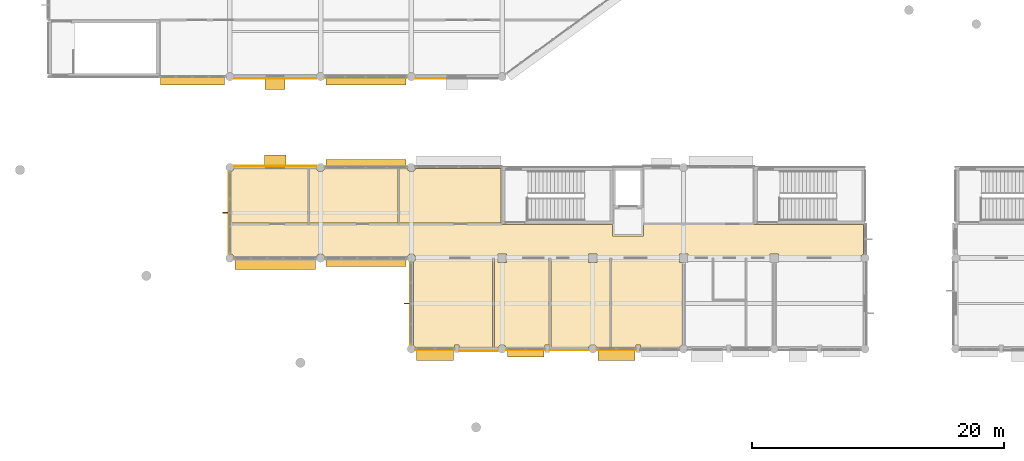
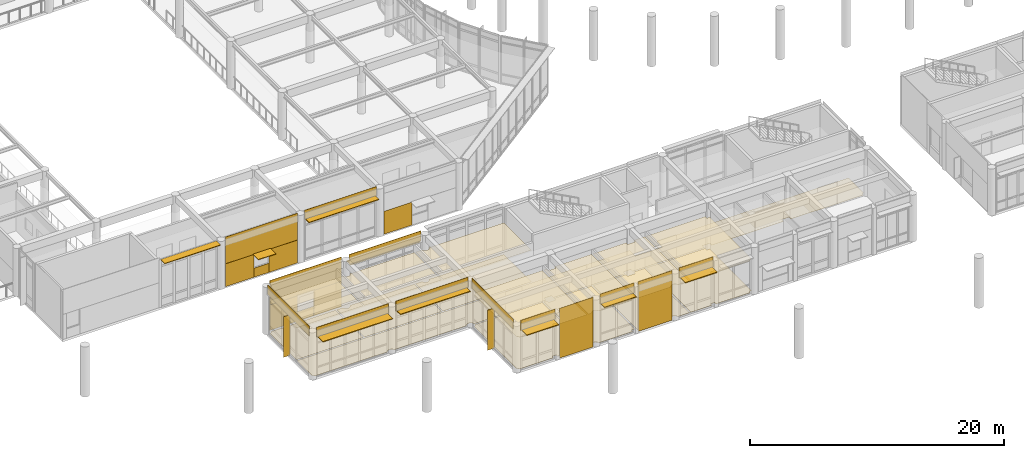
# One storey, part 64 of 92: 35 coverings, 12 shading devices.
"""IFC4 building model written with IfcOpenShell, lengths in metres."""

from ifc_helpers import new_model, si_unit, direction, frame, origin, origin_2d, place, context, subcontext, project, spatial, polyline, rectangle, outline, extrude, material, layer, layer_set, type_object, element, save


model = new_model("IFC4")

# Units and contexts
model_context = context("Model", 3, precision=1e-05, world=origin(), true_north=direction((0.0, 1.0)))
body_context = subcontext(model_context, "Body", "Model", "MODEL_VIEW")
ifc_project = project(units=[si_unit("LENGTHUNIT", "METRE"), si_unit("AREAUNIT", "SQUARE_METRE"), si_unit("VOLUMEUNIT", "CUBIC_METRE"), si_unit("PLANEANGLEUNIT", "RADIAN"), si_unit("MASSUNIT", "GRAM", prefix="KILO")], contexts=[model_context])

# Site, building, storey
site_placement = place(None, origin())
site = spatial("IfcSite", under=ifc_project, at=site_placement, CompositionType="ELEMENT")
building_placement = place(site_placement, origin())
building = spatial("IfcBuilding", under=site, at=building_placement, Name="Namkhue Oval Health Centre", CompositionType="ELEMENT")
storey_placement = place(building_placement, frame((0.0, 0.0, 4.800048828125)))
storey = spatial("IfcBuildingStorey", under=building, at=storey_placement, Name="L01", CompositionType="ELEMENT", Elevation=4.800048828125)

# Coverings
ifc_material_1 = material(Name="Acoustic mineral-fibre cleanroom ceiling", Category="gypsum")
ifc_layer_1 = layer(ifc_material_1, 0.02001953125)
ifc_layer_set_1 = layer_set([ifc_layer_1], Name="Acoustic mineral-fibre cleanroom ceiling")
covering_type_1 = type_object("IfcCoveringType", Name="ACOUSTIC CLEANROOM CEILING 20", PredefinedType="CEILING", material=ifc_layer_set_1)
covering_1_placement = place(storey_placement, frame((0.0, 0.0, 3.050048828125)))
element("IfcCovering", 1, at=covering_1_placement, inside=storey, type_object=covering_type_1, Name="Acoustic Ceiling L01-401 Diagnostic Imaging CT Scanner", PredefinedType="CEILING", context=body_context, shape_type="SweptSolid", body=[
    extrude(outline(polyline([(54.18505859375, 14.485107421875), (54.18505859375, 14.7099609375), (53.81494140625, 14.7099609375), (53.81494140625, 14.485107421875), (50.723876953125, 14.485107421875), (50.690185546875, 14.5673828125), (50.636962890625, 14.636962890625), (50.5673828125, 14.690185546875), (50.554931640625, 14.6953125), (50.554931640625, 21.3046875), (50.5673828125, 21.309814453125), (50.636962890625, 21.363037109375), (50.690185546875, 21.4326171875), (50.724609375, 21.52001953125), (56.85009765625, 21.52001953125), (56.85009765625, 14.485107421875), (54.18505859375, 14.485107421875)])), origin(), (0.0, 0.0, 1.0), 0.02001953125),
])
covering_2_placement = place(storey_placement, frame((0.0, 0.0, 3.050048828125)))
element("IfcCovering", 2, at=covering_2_placement, inside=storey, type_object=covering_type_1, Name="Acoustic Ceiling L01-402 Imaging Control Room", PredefinedType="CEILING", context=body_context, shape_type="SweptSolid", body=[
    extrude(outline(polyline([(57.923828125, 14.485107421875), (57.89013671875, 14.5673828125), (57.8369140625, 14.636962890625), (57.767578125, 14.690185546875), (57.686767578125, 14.7236328125), (57.60009765625, 14.735107421875), (57.51318359375, 14.7236328125), (57.4326171875, 14.690185546875), (57.363037109375, 14.636962890625), (57.309814453125, 14.5673828125), (57.276123046875, 14.485107421875), (56.989990234375, 14.485107421875), (56.989990234375, 21.52001953125), (57.264892578125, 21.52001953125), (57.264892578125, 21.264892578125), (57.93505859375, 21.264892578125), (57.93505859375, 21.52001953125), (61.323974609375, 21.52001953125), (61.323974609375, 14.7099609375), (61.014892578125, 14.7099609375), (61.014892578125, 14.485107421875), (57.923828125, 14.485107421875)])), origin(), (0.0, 0.0, 1.0), 0.02001953125),
])
covering_3_placement = place(storey_placement, frame((0.0, 0.0, 3.050048828125)))
element("IfcCovering", 3, at=covering_3_placement, inside=storey, type_object=covering_type_1, Name="Acoustic Ceiling L01-403 Mammography Screening Room", PredefinedType="CEILING", context=body_context, shape_type="SweptSolid", body=[
    extrude(outline(polyline([(65.123779296875, 14.485107421875), (65.090087890625, 14.5673828125), (65.036865234375, 14.636962890625), (64.967529296875, 14.690185546875), (64.88671875, 14.7236328125), (64.800048828125, 14.735107421875), (64.71337890625, 14.7236328125), (64.632568359375, 14.690185546875), (64.56298828125, 14.636962890625), (64.510009765625, 14.5673828125), (64.476318359375, 14.485107421875), (61.464111328125, 14.485107421875), (61.464111328125, 21.52001953125), (64.465087890625, 21.52001953125), (64.465087890625, 21.264892578125), (65.135009765625, 21.264892578125), (65.135009765625, 21.52001953125), (66.1630859375, 21.52001953125), (66.1630859375, 14.485107421875), (65.123779296875, 14.485107421875)])), origin(), (0.0, 0.0, 1.0), 0.02001953125),
])
covering_4_placement = place(storey_placement, frame((0.0, 0.0, 3.050048828125)))
element("IfcCovering", 4, at=covering_4_placement, inside=storey, type_object=covering_type_1, Name="Acoustic Ceiling L01-404 Ultrasound Diagnostic Room", PredefinedType="CEILING", context=body_context, shape_type="SweptSolid", body=[
    extrude(outline(polyline([(68.5849609375, 14.485107421875), (68.5849609375, 14.7099609375), (68.215087890625, 14.7099609375), (68.215087890625, 14.485107421875), (66.302978515625, 14.485107421875), (66.302978515625, 21.52001953125), (71.6650390625, 21.52001953125), (71.6650390625, 21.264892578125), (71.929931640625, 21.264892578125), (71.929931640625, 14.725830078125), (71.913330078125, 14.7236328125), (71.83251953125, 14.690185546875), (71.76318359375, 14.636962890625), (71.7099609375, 14.5673828125), (71.67626953125, 14.485107421875), (68.5849609375, 14.485107421875)])), origin(), (0.0, 0.0, 1.0), 0.02001953125),
])
covering_5_placement = place(storey_placement, frame((0.0, 0.0, 3.050048828125)))
element("IfcCovering", 5, at=covering_5_placement, inside=storey, type_object=covering_type_1, Name="Acoustic Ceiling L01-409 Bone Densitometry DEXA Room", PredefinedType="CEILING", context=body_context, shape_type="SweptSolid", body=[
    extrude(outline(polyline([(36.14501953125, 24.3798828125), (36.14501953125, 28.50048828125), (36.16748046875, 28.510009765625), (36.23681640625, 28.56298828125), (36.2900390625, 28.632568359375), (36.32373046875, 28.715087890625), (42.212890625, 28.715087890625), (42.212890625, 24.3798828125), (36.14501953125, 24.3798828125)])), origin(), (0.0, 0.0, 1.0), 0.02001953125),
])
covering_6_placement = place(storey_placement, frame((0.0, 0.0, 3.050048828125)))
element("IfcCovering", 6, at=covering_6_placement, inside=storey, type_object=covering_type_1, Name="Acoustic Ceiling L01-410 Radiology Reporting Suite", PredefinedType="CEILING", context=body_context, shape_type="SweptSolid", body=[
    extrude(outline(polyline([(42.3330078125, 24.3798828125), (42.3330078125, 28.715087890625), (42.876220703125, 28.715087890625), (42.909912109375, 28.632568359375), (42.963134765625, 28.56298828125), (43.032470703125, 28.510009765625), (43.11328125, 28.476318359375), (43.199951171875, 28.465087890625), (43.28662109375, 28.476318359375), (43.367431640625, 28.510009765625), (43.43701171875, 28.56298828125), (43.489990234375, 28.632568359375), (43.523681640625, 28.715087890625), (49.360107421875, 28.715087890625), (49.360107421875, 24.3798828125), (42.3330078125, 24.3798828125)])), origin(), (0.0, 0.0, 1.0), 0.02001953125),
])
covering_7_placement = place(storey_placement, frame((0.0, 0.0, 3.050048828125)))
element("IfcCovering", 7, at=covering_7_placement, inside=storey, type_object=covering_type_1, Name="Acoustic Ceiling L01-411 Fluoroscopy Diagnostic Room", PredefinedType="CEILING", context=body_context, shape_type="SweptSolid", body=[
    extrude(outline(polyline([(49.47998046875, 24.3798828125), (49.47998046875, 28.715087890625), (50.076171875, 28.715087890625), (50.10986328125, 28.632568359375), (50.1630859375, 28.56298828125), (50.232421875, 28.510009765625), (50.313232421875, 28.476318359375), (50.39990234375, 28.465087890625), (50.48681640625, 28.476318359375), (50.5673828125, 28.510009765625), (50.636962890625, 28.56298828125), (50.690185546875, 28.632568359375), (50.723876953125, 28.715087890625), (57.52001953125, 28.715087890625), (57.52001953125, 24.3798828125), (49.47998046875, 24.3798828125)])), origin(), (0.0, 0.0, 1.0), 0.02001953125),
])
ifc_material_2 = material(Name="Homogeneous anti-bacterial clinical vinyl flooring", Category="plastic")
ifc_layer_2 = layer(ifc_material_2, 0.014892578125)
ifc_layer_set_2 = layer_set([ifc_layer_2], Name="Homogeneous anti-bacterial clinical vinyl flooring")
covering_type_2 = type_object("IfcCoveringType", Name="CLINICAL ANTIBACTERIAL VINYL FLOORING 15", PredefinedType="FLOORING", material=ifc_layer_set_2)
covering_8_placement = place(storey_placement, origin())
element("IfcCovering", 8, at=covering_8_placement, inside=storey, type_object=covering_type_2, Name="Clinical Flooring L01-V4-C1 V4 Clinical Corridor", PredefinedType="FLOORING", context=body_context, shape_type="SweptSolid", body=[
    extrude(outline(polyline([(43.5078125, 21.72509765625), (43.489990234375, 21.767578125), (43.43701171875, 21.8369140625), (43.367431640625, 21.89013671875), (43.28662109375, 21.923583984375), (43.199951171875, 21.93505859375), (43.11328125, 21.923583984375), (43.032470703125, 21.89013671875), (42.963134765625, 21.8369140625), (42.909912109375, 21.767578125), (42.892333984375, 21.72509765625), (36.3076171875, 21.72509765625), (36.2900390625, 21.767578125), (36.23681640625, 21.8369140625), (36.16748046875, 21.89013671875), (36.125, 21.90771484375), (36.125, 24.260009765625), (66.360107421875, 24.260009765625), (66.360107421875, 23.39990234375), (66.363037109375, 23.384765625), (66.37158203125, 23.37158203125), (66.384765625, 23.363037109375), (66.39990234375, 23.360107421875), (68.800048828125, 23.360107421875), (68.815185546875, 23.363037109375), (68.833251953125, 23.377685546875), (68.840087890625, 23.39990234375), (68.840087890625, 24.260009765625), (86.27490234375, 24.260009765625), (86.27490234375, 21.90771484375), (86.232421875, 21.89013671875), (86.1630859375, 21.8369140625), (86.10986328125, 21.767578125), (86.076416015625, 21.686767578125), (86.0703125, 21.639892578125), (79.534912109375, 21.639892578125), (79.534912109375, 21.93505859375), (78.864990234375, 21.93505859375), (78.864990234375, 21.639892578125), (72.3349609375, 21.639892578125), (72.3349609375, 21.93505859375), (71.6650390625, 21.93505859375), (71.6650390625, 21.639892578125), (65.135009765625, 21.639892578125), (65.135009765625, 21.93505859375), (64.465087890625, 21.93505859375), (64.465087890625, 21.639892578125), (57.93505859375, 21.639892578125), (57.93505859375, 21.93505859375), (57.264892578125, 21.93505859375), (57.264892578125, 21.639892578125), (50.729736328125, 21.639892578125), (50.7236328125, 21.686767578125), (50.690185546875, 21.767578125), (50.636962890625, 21.8369140625), (50.5673828125, 21.89013671875), (50.48681640625, 21.923583984375), (50.39990234375, 21.93505859375), (50.313232421875, 21.923583984375), (50.232421875, 21.89013671875), (50.1630859375, 21.8369140625), (50.10986328125, 21.767578125), (50.09228515625, 21.72509765625), (43.5078125, 21.72509765625)])), origin(), (0.0, 0.0, 1.0), 0.014892578125),
])
covering_9_placement = place(storey_placement, origin())
element("IfcCovering", 9, at=covering_9_placement, inside=storey, type_object=covering_type_2, Name="Clinical Flooring L01-401 Diagnostic Imaging CT Scanner", PredefinedType="FLOORING", context=body_context, shape_type="SweptSolid", body=[
    extrude(outline(polyline([(54.18505859375, 14.485107421875), (54.18505859375, 14.7099609375), (53.81494140625, 14.7099609375), (53.81494140625, 14.485107421875), (50.723876953125, 14.485107421875), (50.690185546875, 14.5673828125), (50.636962890625, 14.636962890625), (50.5673828125, 14.690185546875), (50.554931640625, 14.6953125), (50.554931640625, 21.3046875), (50.5673828125, 21.309814453125), (50.636962890625, 21.363037109375), (50.690185546875, 21.4326171875), (50.724609375, 21.52001953125), (56.85009765625, 21.52001953125), (56.85009765625, 14.485107421875), (54.18505859375, 14.485107421875)])), origin(), (0.0, 0.0, 1.0), 0.014892578125),
])
covering_10_placement = place(storey_placement, origin())
element("IfcCovering", 10, at=covering_10_placement, inside=storey, type_object=covering_type_2, Name="Clinical Flooring L01-402 Imaging Control Room", PredefinedType="FLOORING", context=body_context, shape_type="SweptSolid", body=[
    extrude(outline(polyline([(57.923828125, 14.485107421875), (57.89013671875, 14.5673828125), (57.8369140625, 14.636962890625), (57.767578125, 14.690185546875), (57.686767578125, 14.7236328125), (57.60009765625, 14.735107421875), (57.51318359375, 14.7236328125), (57.4326171875, 14.690185546875), (57.363037109375, 14.636962890625), (57.309814453125, 14.5673828125), (57.276123046875, 14.485107421875), (56.989990234375, 14.485107421875), (56.989990234375, 21.52001953125), (57.264892578125, 21.52001953125), (57.264892578125, 21.264892578125), (57.93505859375, 21.264892578125), (57.93505859375, 21.52001953125), (61.323974609375, 21.52001953125), (61.323974609375, 14.7099609375), (61.014892578125, 14.7099609375), (61.014892578125, 14.485107421875), (57.923828125, 14.485107421875)])), origin(), (0.0, 0.0, 1.0), 0.014892578125),
])
covering_11_placement = place(storey_placement, origin())
element("IfcCovering", 11, at=covering_11_placement, inside=storey, type_object=covering_type_2, Name="Clinical Flooring L01-403 Mammography Screening Room", PredefinedType="FLOORING", context=body_context, shape_type="SweptSolid", body=[
    extrude(outline(polyline([(65.123779296875, 14.485107421875), (65.090087890625, 14.5673828125), (65.036865234375, 14.636962890625), (64.967529296875, 14.690185546875), (64.88671875, 14.7236328125), (64.800048828125, 14.735107421875), (64.71337890625, 14.7236328125), (64.632568359375, 14.690185546875), (64.56298828125, 14.636962890625), (64.510009765625, 14.5673828125), (64.476318359375, 14.485107421875), (61.464111328125, 14.485107421875), (61.464111328125, 21.52001953125), (64.465087890625, 21.52001953125), (64.465087890625, 21.264892578125), (65.135009765625, 21.264892578125), (65.135009765625, 21.52001953125), (66.1630859375, 21.52001953125), (66.1630859375, 14.485107421875), (65.123779296875, 14.485107421875)])), origin(), (0.0, 0.0, 1.0), 0.014892578125),
])
covering_12_placement = place(storey_placement, origin())
element("IfcCovering", 12, at=covering_12_placement, inside=storey, type_object=covering_type_2, Name="Clinical Flooring L01-404 Ultrasound Diagnostic Room", PredefinedType="FLOORING", context=body_context, shape_type="SweptSolid", body=[
    extrude(outline(polyline([(68.5849609375, 14.485107421875), (68.5849609375, 14.7099609375), (68.215087890625, 14.7099609375), (68.215087890625, 14.485107421875), (66.302978515625, 14.485107421875), (66.302978515625, 21.52001953125), (71.6650390625, 21.52001953125), (71.6650390625, 21.264892578125), (71.929931640625, 21.264892578125), (71.929931640625, 14.725830078125), (71.913330078125, 14.7236328125), (71.83251953125, 14.690185546875), (71.76318359375, 14.636962890625), (71.7099609375, 14.5673828125), (71.67626953125, 14.485107421875), (68.5849609375, 14.485107421875)])), origin(), (0.0, 0.0, 1.0), 0.014892578125),
])
covering_13_placement = place(storey_placement, origin())
element("IfcCovering", 13, at=covering_13_placement, inside=storey, type_object=covering_type_2, Name="Clinical Flooring L01-409 Bone Densitometry DEXA Room", PredefinedType="FLOORING", context=body_context, shape_type="SweptSolid", body=[
    extrude(outline(polyline([(36.14501953125, 24.3798828125), (36.14501953125, 28.50048828125), (36.16748046875, 28.510009765625), (36.23681640625, 28.56298828125), (36.2900390625, 28.632568359375), (36.32373046875, 28.715087890625), (42.212890625, 28.715087890625), (42.212890625, 24.3798828125), (36.14501953125, 24.3798828125)])), origin(), (0.0, 0.0, 1.0), 0.014892578125),
])
covering_14_placement = place(storey_placement, origin())
element("IfcCovering", 14, at=covering_14_placement, inside=storey, type_object=covering_type_2, Name="Clinical Flooring L01-410 Radiology Reporting Suite", PredefinedType="FLOORING", context=body_context, shape_type="SweptSolid", body=[
    extrude(outline(polyline([(42.3330078125, 24.3798828125), (42.3330078125, 28.715087890625), (42.876220703125, 28.715087890625), (42.909912109375, 28.632568359375), (42.963134765625, 28.56298828125), (43.032470703125, 28.510009765625), (43.11328125, 28.476318359375), (43.199951171875, 28.465087890625), (43.28662109375, 28.476318359375), (43.367431640625, 28.510009765625), (43.43701171875, 28.56298828125), (43.489990234375, 28.632568359375), (43.523681640625, 28.715087890625), (49.360107421875, 28.715087890625), (49.360107421875, 24.3798828125), (42.3330078125, 24.3798828125)])), origin(), (0.0, 0.0, 1.0), 0.014892578125),
])
covering_15_placement = place(storey_placement, origin())
element("IfcCovering", 15, at=covering_15_placement, inside=storey, type_object=covering_type_2, Name="Clinical Flooring L01-411 Fluoroscopy Diagnostic Room", PredefinedType="FLOORING", context=body_context, shape_type="SweptSolid", body=[
    extrude(outline(polyline([(49.47998046875, 24.3798828125), (49.47998046875, 28.715087890625), (50.076171875, 28.715087890625), (50.10986328125, 28.632568359375), (50.1630859375, 28.56298828125), (50.232421875, 28.510009765625), (50.313232421875, 28.476318359375), (50.39990234375, 28.465087890625), (50.48681640625, 28.476318359375), (50.5673828125, 28.510009765625), (50.636962890625, 28.56298828125), (50.690185546875, 28.632568359375), (50.723876953125, 28.715087890625), (57.52001953125, 28.715087890625), (57.52001953125, 24.3798828125), (49.47998046875, 24.3798828125)])), origin(), (0.0, 0.0, 1.0), 0.014892578125),
])

# Shading devices
ifc_material_3 = material(Name="Anodised aluminium EN AW-6063 T6", Category="aluminium")
ifc_layer_3 = layer(ifc_material_3, 0.06005859375)
ifc_layer_set_3 = layer_set([ifc_layer_3], Name="Anodised aluminium EN AW-6063 T6")
shading_device_type_1 = type_object("IfcShadingDeviceType", Name="MONSOON SUN LOUVRE 900", PredefinedType="JALOUSIE", material=ifc_layer_set_3)
shading_device_1_placement = place(storey_placement, frame((39.60009765625, 35.43505859375, 2.219970703125), z_axis=(0.0, 0.0, 1.0), x_axis=(1.0, 0.0, 0.0)))
element("IfcShadingDevice", 16, at=shading_device_1_placement, inside=storey, type_object=shading_device_type_1, Name="Volume V1 L01 Window Monsoon Louvre 24", PredefinedType="JALOUSIE", context=body_context, shape_type="SweptSolid", body=[
    extrude(rectangle(XDim=1.590087890625, YDim=0.89990234375, at=origin_2d()), origin(), (0.0, 0.0, 1.0), 0.06005859375),
])
for number, where, z_axis, x_axis, name in (
    (17, (52.2744140625, 13.949951171875, 3.784912109375), (0.0, 0.0, 1.0), (1.0, 0.0, 0.0), "Volume V4 L01 Horizontal Monsoon Sun Louvre 196"),
    (18, (66.674560546875, 13.949951171875, 3.784912109375), (0.0, 0.0, 1.0), (1.0, 0.0, 0.0), "Volume V4 L01 Horizontal Monsoon Sun Louvre 198"),
):
    element("IfcShadingDevice", number, at=place(storey_placement, frame(where, z_axis=z_axis, x_axis=x_axis)), inside=storey, type_object=shading_device_type_1, Name=name, PredefinedType="JALOUSIE", context=body_context, shape_type="SweptSolid", body=[
        extrude(rectangle(XDim=2.908935546875, YDim=0.89990234375, at=origin_2d()), origin(), (0.0, 0.0, 1.0), 0.06005859375),
    ])
shading_device_2_placement = place(storey_placement, frame((39.60009765625, 29.35498046875, 2.4599609375), z_axis=(0.0, 0.0, 1.0), x_axis=(-1.0, 0.0, 0.0)))
element("IfcShadingDevice", 19, at=shading_device_2_placement, inside=storey, type_object=shading_device_type_1, Name="Volume V4 L01 Window Monsoon Louvre 210", PredefinedType="JALOUSIE", context=body_context, shape_type="SweptSolid", body=[
    extrude(rectangle(XDim=1.68994140625, YDim=0.89990234375, at=origin_2d()), origin(), (0.0, 0.0, 1.0), 0.06005859375),
])
shading_device_3_placement = place(storey_placement, frame((39.60009765625, 21.14990234375, 3.827880859375), z_axis=(0.0, 0.0, 1.0), x_axis=(1.0, 0.0, 0.0)))
element("IfcShadingDevice", 20, at=shading_device_3_placement, inside=storey, type_object=shading_device_type_1, Name="Volume V4 L01 Horizontal Monsoon Sun Louvre 212", PredefinedType="JALOUSIE", context=body_context, shape_type="SweptSolid", body=[
    extrude(rectangle(XDim=6.360107421875, YDim=0.89990234375, at=origin_2d()), origin(), (0.0, 0.0, 1.0), 0.06005859375),
])
ifc_layer_4 = layer(ifc_material_3, 0.050048828125)
ifc_layer_set_4 = layer_set([ifc_layer_4], Name="Anodised aluminium EN AW-6063 T6")
shading_device_type_2 = type_object("IfcShadingDeviceType", Name="STORM SHUTTER LOUVRE 650", PredefinedType="SHUTTER", material=ifc_layer_set_4)
shading_device_4_placement = place(storey_placement, frame((33.041015625, 35.675048828125, 4.530029296875), z_axis=(0.0, 0.0, 1.0), x_axis=(1.0, 0.0, 0.0)))
element("IfcShadingDevice", 21, at=shading_device_4_placement, inside=storey, type_object=shading_device_type_2, Name="Volume V1 L01 Horizontal Monsoon Sun Louvre 23", PredefinedType="SHUTTER", context=body_context, shape_type="SweptSolid", body=[
    extrude(rectangle(XDim=5.077880859375, YDim=0.64990234375, at=origin_2d()), origin(), (0.0, 0.0, 1.0), 0.06005859375),
])
shading_device_5_placement = place(storey_placement, frame((46.800048828125, 35.675048828125, 3.8798828125), z_axis=(0.0, 0.0, 1.0), x_axis=(1.0, 0.0, 0.0)))
element("IfcShadingDevice", 22, at=shading_device_5_placement, inside=storey, type_object=shading_device_type_2, Name="Volume V1 L01 Horizontal Monsoon Sun Louvre 25", PredefinedType="SHUTTER", context=body_context, shape_type="SweptSolid", body=[
    extrude(rectangle(XDim=6.360107421875, YDim=0.64990234375, at=origin_2d()), origin(), (0.0, 0.0, 1.0), 0.06005859375),
])
shading_device_6_placement = place(storey_placement, frame((59.474609375, 14.074951171875, 3.784912109375), z_axis=(0.0, 0.0, 1.0), x_axis=(1.0, 0.0, 0.0)))
element("IfcShadingDevice", 23, at=shading_device_6_placement, inside=storey, type_object=shading_device_type_2, Name="Volume V4 L01 Horizontal Monsoon Sun Louvre 197", PredefinedType="SHUTTER", context=body_context, shape_type="SweptSolid", body=[
    extrude(rectangle(XDim=2.908935546875, YDim=0.64990234375, at=origin_2d()), origin(), (0.0, 0.0, 1.0), 0.06005859375),
])
for number, where, z_axis, x_axis, name in (
    (24, (46.800048828125, 29.125, 3.784912109375), (0.0, 0.0, 1.0), (-1.0, 0.0, 0.0), "Volume V4 L01 Horizontal Monsoon Sun Louvre 209"),
    (25, (46.800048828125, 21.27490234375, 3.784912109375), (0.0, 0.0, 1.0), (1.0, 0.0, 0.0), "Volume V4 L01 Horizontal Monsoon Sun Louvre 213"),
):
    element("IfcShadingDevice", number, at=place(storey_placement, frame(where, z_axis=z_axis, x_axis=x_axis)), inside=storey, type_object=shading_device_type_2, Name=name, PredefinedType="SHUTTER", context=body_context, shape_type="SweptSolid", body=[
        extrude(rectangle(XDim=6.360107421875, YDim=0.64990234375, at=origin_2d()), origin(), (0.0, 0.0, 1.0), 0.06005859375),
    ])
shading_device_type_3 = type_object("IfcShadingDeviceType", Name="VERTICAL SOLAR FIN 600", PredefinedType="USERDEFINED", material=ifc_material_3)
shading_device_7_placement = place(storey_placement, frame((35.739990234375, 25.199951171875, 0.0), z_axis=(0.0, 0.0, 1.0), x_axis=(-1.0, 0.0, 0.0)))
element("IfcShadingDevice", 26, at=shading_device_7_placement, inside=storey, type_object=shading_device_type_3, Name="Volume V4 L01 Extruded Aluminium Solar Fin 211", ObjectType="SOLAR FIN", PredefinedType="USERDEFINED", context=body_context, shape_type="SweptSolid", body=[
    extrude(rectangle(XDim=0.60009765625, YDim=0.06005859375, at=origin_2d()), origin(), (0.0, 0.0, 1.0), 3.89794921875),
])
shading_device_8_placement = place(storey_placement, frame((50.139892578125, 18.0, 0.0), z_axis=(0.0, 0.0, 1.0), x_axis=(-1.0, 0.0, 0.0)))
element("IfcShadingDevice", 27, at=shading_device_8_placement, inside=storey, type_object=shading_device_type_3, Name="Volume V4 L01 Extruded Aluminium Solar Fin 214", ObjectType="SOLAR FIN", PredefinedType="USERDEFINED", context=body_context, shape_type="SweptSolid", body=[
    extrude(rectangle(XDim=0.60009765625, YDim=0.06005859375, at=origin_2d()), origin(), (0.0, 0.0, 1.0), 3.85498046875),
])

# Coverings
ifc_material_4 = material(Name="White glass-fibre reinforced concrete GRC rainscreen cladding", Category="concrete")
ifc_layer_5 = layer(ifc_material_4, 0.02490234375)
ifc_layer_set_5 = layer_set([ifc_layer_5], Name="White glass-fibre reinforced concrete GRC rainscreen cladding")
covering_type_3 = type_object("IfcCoveringType", Name="WHITE GRC RAINSCREEN CLADDING 25", PredefinedType="CLADDING", material=ifc_layer_set_5)
covering_16_placement = place(storey_placement, frame((39.60009765625, 35.863037109375, 2.21484375), z_axis=(0.0, 0.0, 1.0), x_axis=(1.0, 0.0, 0.0)))
element("IfcCovering", 28, at=covering_16_placement, inside=storey, type_object=covering_type_3, Name="Volume V1 L01 Facade 8 White GRC Cladding 1", PredefinedType="CLADDING", context=body_context, shape_type="SweptSolid", body=[
    extrude(rectangle(XDim=6.52001953125, YDim=0.02490234375, at=origin_2d()), origin(), (0.0, 0.0, 1.0), 2.574951171875),
])
covering_17_placement = place(storey_placement, frame((37.625, 35.863037109375, 0.009765625), z_axis=(0.0, 0.0, 1.0), x_axis=(1.0, 0.0, 0.0)))
element("IfcCovering", 29, at=covering_17_placement, inside=storey, type_object=covering_type_3, Name="Volume V1 L01 Facade 8 White GRC Cladding 2", PredefinedType="CLADDING", context=body_context, shape_type="SweptSolid", body=[
    extrude(rectangle(XDim=2.570068359375, YDim=0.02490234375, at=origin_2d()), origin(), (0.0, 0.0, 1.0), 2.199951171875),
])
covering_18_placement = place(storey_placement, frame((39.60009765625, 35.863037109375, 0.010009765625), z_axis=(0.0, 0.0, 1.0), x_axis=(1.0, 0.0, 0.0)))
element("IfcCovering", 30, at=covering_18_placement, inside=storey, type_object=covering_type_3, Name="Volume V1 L01 Facade 8 White GRC Cladding 3", PredefinedType="CLADDING", context=body_context, shape_type="SweptSolid", body=[
    extrude(rectangle(XDim=1.3701171875, YDim=0.02490234375, at=origin_2d()), origin(), (0.0, 0.0, 1.0), 0.875),
])
covering_19_placement = place(storey_placement, frame((41.574951171875, 35.863037109375, 0.009765625), z_axis=(0.0, 0.0, 1.0), x_axis=(1.0, 0.0, 0.0)))
element("IfcCovering", 31, at=covering_19_placement, inside=storey, type_object=covering_type_3, Name="Volume V1 L01 Facade 8 White GRC Cladding 4", PredefinedType="CLADDING", context=body_context, shape_type="SweptSolid", body=[
    extrude(rectangle(XDim=2.570068359375, YDim=0.02490234375, at=origin_2d()), origin(), (0.0, 0.0, 1.0), 2.199951171875),
])
covering_20_placement = place(storey_placement, frame((46.800048828125, 35.91162109375, 3.93505859375), z_axis=(0.0, 0.0, 1.0), x_axis=(1.0, 0.0, 0.0)))
element("IfcCovering", 32, at=covering_20_placement, inside=storey, type_object=covering_type_3, Name="Volume V1 L01 Curtain Wall Spandrel Cladding 21", PredefinedType="CLADDING", context=body_context, shape_type="SweptSolid", body=[
    extrude(rectangle(XDim=6.550048828125, YDim=0.02490234375, at=origin_2d()), origin(), (0.0, 0.0, 1.0), 0.864990234375),
])
covering_21_placement = place(storey_placement, frame((52.0, 35.85791015625, 0.009765625), z_axis=(0.0, 0.0, 1.0), x_axis=(1.0, 0.0, 0.0)))
element("IfcCovering", 33, at=covering_21_placement, inside=storey, type_object=covering_type_3, Name="Volume V1 L01 Facade 9 White GRC Cladding 2", PredefinedType="CLADDING", context=body_context, shape_type="SweptSolid", body=[
    extrude(rectangle(XDim=2.52001953125, YDim=0.02490234375, at=origin_2d()), origin(), (0.0, 0.0, 1.0), 2.199951171875),
])
covering_22_placement = place(storey_placement, frame((52.2744140625, 14.3115234375, 3.840087890625), z_axis=(0.0, 0.0, 1.0), x_axis=(1.0, 0.0, 0.0)))
element("IfcCovering", 34, at=covering_22_placement, inside=storey, type_object=covering_type_3, Name="Volume V4 L01 Curtain Wall Spandrel Cladding 146", PredefinedType="CLADDING", context=body_context, shape_type="SweptSolid", body=[
    extrude(rectangle(XDim=3.09912109375, YDim=0.02490234375, at=origin_2d()), origin(), (0.0, 0.0, 1.0), 0.9599609375),
])
covering_23_placement = place(storey_placement, frame((55.7255859375, 14.222900390625, 0.009765625), z_axis=(0.0, 0.0, 1.0), x_axis=(1.0, 0.0, 0.0)))
element("IfcCovering", 35, at=covering_23_placement, inside=storey, type_object=covering_type_3, Name="Volume V4 L01 Facade 96 White GRC Cladding 1", PredefinedType="CLADDING", context=body_context, shape_type="SweptSolid", body=[
    extrude(rectangle(XDim=3.069091796875, YDim=0.02490234375, at=origin_2d()), origin(), (0.0, 0.0, 1.0), 4.780029296875),
])
covering_24_placement = place(storey_placement, frame((59.474609375, 14.3115234375, 3.840087890625), z_axis=(0.0, 0.0, 1.0), x_axis=(1.0, 0.0, 0.0)))
element("IfcCovering", 36, at=covering_24_placement, inside=storey, type_object=covering_type_3, Name="Volume V4 L01 Curtain Wall Spandrel Cladding 147", PredefinedType="CLADDING", context=body_context, shape_type="SweptSolid", body=[
    extrude(rectangle(XDim=3.09912109375, YDim=0.02490234375, at=origin_2d()), origin(), (0.0, 0.0, 1.0), 0.9599609375),
])
covering_25_placement = place(storey_placement, frame((62.925537109375, 14.298095703125, 0.009765625), z_axis=(0.0, 0.0, 1.0), x_axis=(1.0, 0.0, 0.0)))
element("IfcCovering", 37, at=covering_25_placement, inside=storey, type_object=covering_type_3, Name="Volume V4 L01 Facade 97 White GRC Cladding 1", PredefinedType="CLADDING", context=body_context, shape_type="SweptSolid", body=[
    extrude(rectangle(XDim=3.069091796875, YDim=0.02490234375, at=origin_2d()), origin(), (0.0, 0.0, 1.0), 4.780029296875),
])
covering_26_placement = place(storey_placement, frame((66.674560546875, 14.3115234375, 3.840087890625), z_axis=(0.0, 0.0, 1.0), x_axis=(1.0, 0.0, 0.0)))
element("IfcCovering", 38, at=covering_26_placement, inside=storey, type_object=covering_type_3, Name="Volume V4 L01 Curtain Wall Spandrel Cladding 148", PredefinedType="CLADDING", context=body_context, shape_type="SweptSolid", body=[
    extrude(rectangle(XDim=3.09912109375, YDim=0.02490234375, at=origin_2d()), origin(), (0.0, 0.0, 1.0), 0.9599609375),
])
covering_27_placement = place(storey_placement, frame((46.800048828125, 28.888427734375, 3.840087890625), z_axis=(0.0, 0.0, 1.0), x_axis=(-1.0, 0.0, 0.0)))
element("IfcCovering", 39, at=covering_27_placement, inside=storey, type_object=covering_type_3, Name="Volume V4 L01 Curtain Wall Spandrel Cladding 155", PredefinedType="CLADDING", context=body_context, shape_type="SweptSolid", body=[
    extrude(rectangle(XDim=6.550048828125, YDim=0.02490234375, at=origin_2d()), origin(), (0.0, 0.0, 1.0), 0.9599609375),
])
covering_28_placement = place(storey_placement, frame((39.60009765625, 28.927001953125, 2.455078125), z_axis=(0.0, 0.0, 1.0), x_axis=(-1.0, 0.0, 0.0)))
element("IfcCovering", 40, at=covering_28_placement, inside=storey, type_object=covering_type_3, Name="Volume V4 L01 Facade 102 White GRC Cladding 1", PredefinedType="CLADDING", context=body_context, shape_type="SweptSolid", body=[
    extrude(rectangle(XDim=6.52001953125, YDim=0.02490234375, at=origin_2d()), origin(), (0.0, 0.0, 1.0), 2.3349609375),
])
covering_29_placement = place(storey_placement, frame((41.60009765625, 28.927001953125, 0.010009765625), z_axis=(0.0, 0.0, 1.0), x_axis=(-1.0, 0.0, 0.0)))
element("IfcCovering", 41, at=covering_29_placement, inside=storey, type_object=covering_type_3, Name="Volume V4 L01 Facade 102 White GRC Cladding 2", PredefinedType="CLADDING", context=body_context, shape_type="SweptSolid", body=[
    extrude(rectangle(XDim=2.52001953125, YDim=0.02490234375, at=origin_2d()), origin(), (0.0, 0.0, 1.0), 2.43994140625),
])
covering_30_placement = place(storey_placement, frame((39.60009765625, 28.927001953125, 0.010009765625), z_axis=(0.0, 0.0, 1.0), x_axis=(-1.0, 0.0, 0.0)))
element("IfcCovering", 42, at=covering_30_placement, inside=storey, type_object=covering_type_3, Name="Volume V4 L01 Facade 102 White GRC Cladding 3", PredefinedType="CLADDING", context=body_context, shape_type="SweptSolid", body=[
    extrude(rectangle(XDim=1.469970703125, YDim=0.02490234375, at=origin_2d()), origin(), (0.0, 0.0, 1.0), 0.875),
])
covering_31_placement = place(storey_placement, frame((37.60009765625, 28.927001953125, 0.010009765625), z_axis=(0.0, 0.0, 1.0), x_axis=(-1.0, 0.0, 0.0)))
element("IfcCovering", 43, at=covering_31_placement, inside=storey, type_object=covering_type_3, Name="Volume V4 L01 Facade 102 White GRC Cladding 4", PredefinedType="CLADDING", context=body_context, shape_type="SweptSolid", body=[
    extrude(rectangle(XDim=2.52001953125, YDim=0.02490234375, at=origin_2d()), origin(), (0.0, 0.0, 1.0), 2.43994140625),
])
for number, where, z_axis, x_axis, name in (
    (44, (35.91162109375, 25.199951171875, 3.883056640625), (0.0, 0.0, 1.0), (0.0, -1.0, 0.0), "Volume V4 L01 Curtain Wall Spandrel Cladding 156"),
    (45, (39.60009765625, 21.511474609375, 3.883056640625), (0.0, 0.0, 1.0), (1.0, 0.0, 0.0), "Volume V4 L01 Curtain Wall Spandrel Cladding 157"),
):
    element("IfcCovering", number, at=place(storey_placement, frame(where, z_axis=z_axis, x_axis=x_axis)), inside=storey, type_object=covering_type_3, Name=name, PredefinedType="CLADDING", context=body_context, shape_type="SweptSolid", body=[
        extrude(rectangle(XDim=6.550048828125, YDim=0.02490234375, at=origin_2d()), origin(), (0.0, 0.0, 1.0), 0.9169921875),
    ])
for number, where, z_axis, x_axis, name in (
    (46, (46.800048828125, 21.511474609375, 3.840087890625), (0.0, 0.0, 1.0), (1.0, 0.0, 0.0), "Volume V4 L01 Curtain Wall Spandrel Cladding 158"),
    (47, (50.3115234375, 18.0, 3.840087890625), (0.0, 0.0, 1.0), (0.0, -1.0, 0.0), "Volume V4 L01 Curtain Wall Spandrel Cladding 159"),
):
    element("IfcCovering", number, at=place(storey_placement, frame(where, z_axis=z_axis, x_axis=x_axis)), inside=storey, type_object=covering_type_3, Name=name, PredefinedType="CLADDING", context=body_context, shape_type="SweptSolid", body=[
        extrude(rectangle(XDim=6.550048828125, YDim=0.02490234375, at=origin_2d()), origin(), (0.0, 0.0, 1.0), 0.9599609375),
    ])

save(model, "model.ifc")
